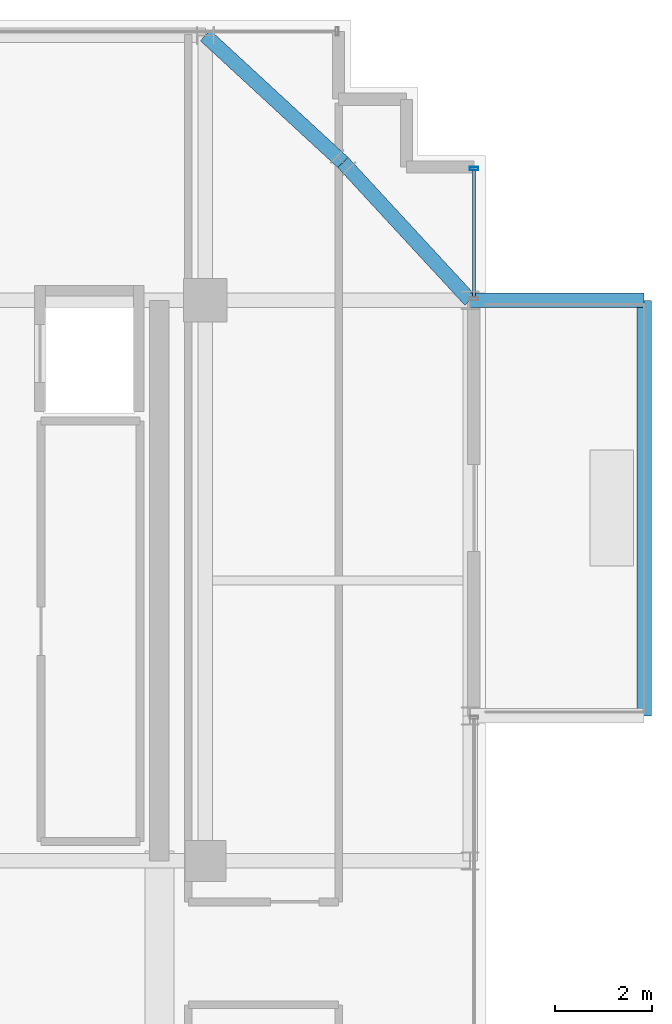
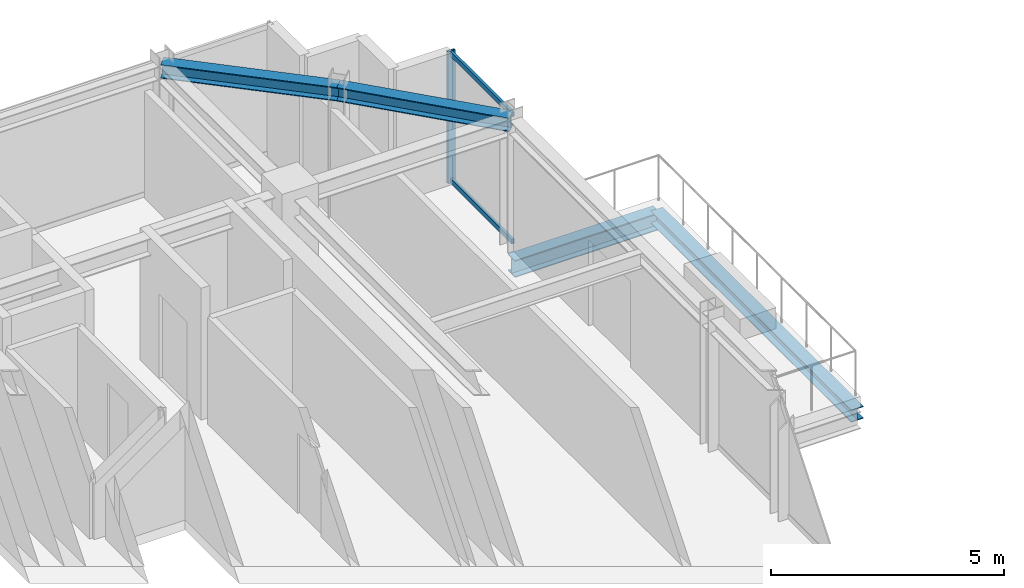
# One storey, part 24 of 32: 4 beams, 3 members, 1 element without a shape of its own.
"""IFC4 building model written with IfcOpenShell, lengths in metres."""

import ifcopenshell
import ifcopenshell.guid

model = None  # the IFC model being written
_history = None  # IfcOwnerHistory: only IFC2X3 demands one
_inside = {}  # id of a spatial element -> (the spatial element, [elements in it])
_under = {}  # id of a project, library or spatial element -> (it, [spatial elements below it])
_declared = {}  # id of a project -> (the project, [libraries it declares])
_typed = {}  # id of a type object -> (the type object, [elements of that type])
_made_of = {}  # id of a material, layer set ... -> (it, [elements and type objects made of it])


def new_model(schema):
    """Start an empty IFC model of exactly this schema.

    Asked for "IFC4X3", IfcOpenShell would pick the latest addendum, in which some entities
    have other attributes; the version numbers below select the first issue.
    IFC2X3 requires an IfcOwnerHistory on every rooted entity: one is made here for all.
    """
    global model, _history
    if schema == "IFC4X3":
        model = ifcopenshell.file(schema_version=(4, 3, 0, 0))
    else:
        model = ifcopenshell.file(schema=schema)
    _inside.clear()
    _under.clear()
    _declared.clear()
    _typed.clear()
    _made_of.clear()
    _history = None
    if model.schema == "IFC2X3":
        org = make("IfcOrganization", Name="unknown")
        user = make(
            "IfcPersonAndOrganization",
            ThePerson=make("IfcPerson", FamilyName="unknown"),
            TheOrganization=org,
        )
        app = make(
            "IfcApplication",
            ApplicationDeveloper=org,
            Version="unknown",
            ApplicationFullName="unknown",
            ApplicationIdentifier="unknown",
        )
        _history = make(
            "IfcOwnerHistory",
            OwningUser=user,
            OwningApplication=app,
            ChangeAction="ADDED",
            CreationDate=0,
        )
    return model


def make(cls, **values):
    """One entity of the class cls with the attributes given. An attribute that is None is left unset."""
    return model.create_entity(
        cls, **{name: value for name, value in values.items() if value is not None}
    )


def rooted(cls, **values):
    """An entity with a GlobalId (a new one), such as an element, a storey or a relation."""
    return make(cls, GlobalId=ifcopenshell.guid.new(), OwnerHistory=_history, **values)


def si_unit(unit_type, name, prefix=None):
    """IfcSIUnit, for example si_unit("LENGTHUNIT", "METRE", prefix="MILLI")."""
    return make("IfcSIUnit", UnitType=unit_type, Prefix=prefix, Name=name)


def assignment(units):
    """IfcUnitAssignment: the units of a project."""
    return None if units is None else make("IfcUnitAssignment", Units=units)


def point(xyz):
    """IfcCartesianPoint."""
    return None if xyz is None else make("IfcCartesianPoint", Coordinates=xyz)


def direction(xyz):
    """IfcDirection."""
    return None if xyz is None else make("IfcDirection", DirectionRatios=xyz)


def frame(location, z_axis=None, x_axis=None):
    """IfcAxis2Placement3D, a coordinate frame: its origin and axes. An axis left out is left unset."""
    return make(
        "IfcAxis2Placement3D",
        Location=point(location),
        Axis=direction(z_axis),
        RefDirection=direction(x_axis),
    )


def frame_2d(location, x_axis=None):
    """IfcAxis2Placement2D, a coordinate frame in the plane: its origin and x axis."""
    return make(
        "IfcAxis2Placement2D", Location=point(location), RefDirection=direction(x_axis)
    )


def origin():
    """The frame at (0, 0, 0) with its axes left unset."""
    return frame((0.0, 0.0, 0.0))


def origin_2d():
    """The frame at (0, 0) in the plane with its x axis left unset."""
    return frame_2d((0.0, 0.0))


def place(relative_to, where):
    """IfcLocalPlacement: puts the frame where relative to a parent placement (None: the world)."""
    return make(
        "IfcLocalPlacement", PlacementRelTo=relative_to, RelativePlacement=where
    )


def context(
    kind, dimensions, precision=None, world=None, true_north=None, identifier=None
):
    """IfcGeometricRepresentationContext, for example the 3D "Model" context."""
    return make(
        "IfcGeometricRepresentationContext",
        ContextIdentifier=identifier,
        ContextType=kind,
        CoordinateSpaceDimension=dimensions,
        Precision=precision,
        WorldCoordinateSystem=world,
        TrueNorth=true_north,
    )


def subcontext(parent, identifier, kind, view, scale=None):
    """IfcGeometricRepresentationSubContext, for example "Body" below "Model"."""
    return make(
        "IfcGeometricRepresentationSubContext",
        ContextIdentifier=identifier,
        ContextType=kind,
        ParentContext=parent,
        TargetScale=scale,
        TargetView=view,
    )


def project(units=None, contexts=None):
    """IfcProject with its units and contexts."""
    return rooted(
        "IfcProject",
        Name="project",
        RepresentationContexts=contexts,
        UnitsInContext=assignment(units),
    )


def spatial(cls, under=None, at=None, **own):
    """A site, building, storey or space (cls), placed at a placement, below another one or the project."""
    s = rooted(cls, ObjectPlacement=at, **own)
    if under is not None:
        _under.setdefault(under.id(), (under, []))[1].append(s)
    return s


def profile(cls, at=None, kind="AREA", **sizes):
    """A parametric profile (cls). Its sizes go by their IFC names, for example OverallWidth=200.0."""
    return make(cls, ProfileType=kind, Position=at, **sizes)


def hollow_rectangle(**sizes):
    """IfcRectangleHollowProfileDef."""
    return profile("IfcRectangleHollowProfileDef", **sizes)


def i_section(**sizes):
    """IfcIShapeProfileDef."""
    return profile("IfcIShapeProfileDef", **sizes)


def extrude(swept, where, along, depth):
    """IfcExtrudedAreaSolid: the profile swept, set in the frame where, extruded along a direction by depth."""
    return make(
        "IfcExtrudedAreaSolid",
        SweptArea=swept,
        Position=where,
        ExtrudedDirection=direction(along),
        Depth=depth,
    )


def shape(context_of_items, identifier, shape_type, items):
    """IfcShapeRepresentation: the items that make up one representation, for example the "Body"."""
    return make(
        "IfcShapeRepresentation",
        ContextOfItems=context_of_items,
        RepresentationIdentifier=identifier,
        RepresentationType=shape_type,
        Items=items,
    )


def source(mapping_origin, context_of_items, identifier, shape_type, items):
    """IfcRepresentationMap: a shape defined once, which mapped items show again and again."""
    return make(
        "IfcRepresentationMap",
        MappingOrigin=mapping_origin,
        MappedRepresentation=shape(context_of_items, identifier, shape_type, items),
    )


def transform(
    local_origin,
    x_axis=None,
    y_axis=None,
    z_axis=None,
    scale=None,
    scale2=None,
    scale3=None,
    uniform=True,
):
    """IfcCartesianTransformationOperator3D, or its non-uniform kind. x_axis, y_axis, z_axis: its Axis1, 2, 3."""
    if uniform:
        return make(
            "IfcCartesianTransformationOperator3D",
            Axis1=direction(x_axis),
            Axis2=direction(y_axis),
            LocalOrigin=point(local_origin),
            Scale=scale,
            Axis3=direction(z_axis),
        )
    return make(
        "IfcCartesianTransformationOperator3DnonUniform",
        Axis1=direction(x_axis),
        Axis2=direction(y_axis),
        LocalOrigin=point(local_origin),
        Scale=scale,
        Axis3=direction(z_axis),
        Scale2=scale2,
        Scale3=scale3,
    )


def mapped(mapping_source, mapping_target):
    """IfcMappedItem: shows the shape of a source again, moved by a transform."""
    return make(
        "IfcMappedItem", MappingSource=mapping_source, MappingTarget=mapping_target
    )


def material(Name=None, Category=None):
    """IfcMaterial."""
    return make("IfcMaterial", Name=Name, Category=Category)


def material_profile(
    of_material, cross_section, Name=None, Category=None, Priority=None
):
    """IfcMaterialProfile: a cross section and its material."""
    return make(
        "IfcMaterialProfile",
        Name=Name,
        Material=of_material,
        Profile=cross_section,
        Priority=Priority,
        Category=Category,
    )


def profile_set(profiles, Name=None, composite=None):
    """IfcMaterialProfileSet."""
    return make(
        "IfcMaterialProfileSet",
        Name=Name,
        MaterialProfiles=profiles,
        CompositeProfile=composite,
    )


def made_of(thing, what):
    """Note that an element or type object is made of a material, layer set ...; save() writes the relation."""
    if what is not None:
        _made_of.setdefault(what.id(), (what, []))[1].append(thing)
    return thing


def type_object(cls, material=None, **own):
    """A type object (cls), such as IfcWallType, which elements share."""
    return made_of(rooted(cls, **own), material)


def element(
    cls,
    number,
    at=None,
    inside=None,
    cuts=None,
    type_object=None,
    material=None,
    context=None,
    identifier="Body",
    shape_type=None,
    held_by="IfcProductDefinitionShape",
    body=None,
    shapes=None,
    **own,
):
    """One element of the class cls, such as IfcWall. Its Tag is "e" and its number.

    at: its placement. inside: the storey or other place that contains it. cuts: it is an
    opening in that element (IfcRelVoidsElement). A single representation is given by context,
    identifier, shape_type and body (its items); several are given by shapes. held_by: the class
    of the entity that holds the representations. save() writes the other relations.
    """
    e = rooted(cls, Tag="e%d" % number, ObjectPlacement=at, **own)
    if body is not None:
        shapes = [shape(context, identifier, shape_type, body)]
    if shapes is not None:
        e.Representation = make(held_by, Representations=shapes)
    if inside is not None:
        _inside.setdefault(inside.id(), (inside, []))[1].append(e)
    if cuts is not None:
        rooted(
            "IfcRelVoidsElement", RelatingBuildingElement=cuts, RelatedOpeningElement=e
        )
    if type_object is not None:
        _typed.setdefault(type_object.id(), (type_object, []))[1].append(e)
    return made_of(e, material)


def aggregate(whole, parts):
    """IfcRelAggregates: a whole, such as a stair, and the parts it consists of."""
    return rooted("IfcRelAggregates", RelatingObject=whole, RelatedObjects=parts)


def save(model, path):
    """Write the relations noted so far, then the file.

    IfcRelAggregates (storeys below a building ...), IfcRelContainedInSpatialStructure (elements
    in a storey), IfcRelDefinesByType, IfcRelAssociatesMaterial and IfcRelDeclares: one each for
    every whole, place, type object, material and project.
    """
    for whole, parts in _under.values():
        aggregate(whole, parts)
    for where, things in _inside.values():
        rooted(
            "IfcRelContainedInSpatialStructure",
            RelatedElements=things,
            RelatingStructure=where,
        )
    for kind, things in _typed.values():
        rooted("IfcRelDefinesByType", RelatedObjects=things, RelatingType=kind)
    for what, things in _made_of.values():
        rooted("IfcRelAssociatesMaterial", RelatedObjects=things, RelatingMaterial=what)
    for by, libraries in _declared.values():
        rooted("IfcRelDeclares", RelatingContext=by, RelatedDefinitions=libraries)
    model.write(path)


model = new_model("IFC4")

# Units and contexts
model_context = context("Model", 3, precision=1e-05, world=origin(), true_north=direction((0.0, 1.0)))
body_context = subcontext(model_context, "Body", "Model", "MODEL_VIEW")
ifc_project = project(units=[si_unit("LENGTHUNIT", "METRE"), si_unit("AREAUNIT", "SQUARE_METRE"), si_unit("VOLUMEUNIT", "CUBIC_METRE"), si_unit("PLANEANGLEUNIT", "RADIAN"), si_unit("MASSUNIT", "GRAM", prefix="KILO")], contexts=[model_context])

# Site, building, storey
site_placement = place(None, origin())
site = spatial("IfcSite", under=ifc_project, at=site_placement, CompositionType="ELEMENT")
building_placement = place(site_placement, origin())
building = spatial("IfcBuilding", under=site, at=building_placement, Name="Nahalor Promenade Grand Hotel", CompositionType="ELEMENT")
storey_placement = place(building_placement, frame((0.0, 0.0, 285.050048828125)))
storey = spatial("IfcBuildingStorey", under=building, at=storey_placement, Name="L73", CompositionType="ELEMENT", Elevation=285.050048828125)

# Beams
ifc_material_1 = material(Name="Steel S355JR", Category="steel")
ifc_material_profile_1 = material_profile(ifc_material_1, i_section(OverallWidth=0.3, OverallDepth=0.32, WebThickness=0.0115, FlangeThickness=0.0205, at=origin_2d()), Name="HEB 320")
ifc_profile_set_1 = profile_set([ifc_material_profile_1], Name="Steel S355JR")
beam_type_1 = type_object("IfcBeamType", Name="Beam-BalcEdge-HEB320", PredefinedType="SPANDREL", material=ifc_profile_set_1)
shared_shape_1 = source(origin(), body_context, "Body", "SweptSolid", [
    extrude(i_section(OverallWidth=0.3, OverallDepth=0.32, WebThickness=0.0115, FlangeThickness=0.0205, at=origin_2d()), origin(), (0.0, 0.0, 1.0), 8.60009765625),
])
beam_1_placement = place(storey_placement, frame((26.080078125, 8.39990234375, -0.43994140625), z_axis=(0.0, 1.0, 0.0), x_axis=(-1.0, 0.0, 0.0)))
element("IfcBeam", 1, at=beam_1_placement, inside=storey, type_object=beam_type_1, Name="BM-L73-BC-02-F", PredefinedType="SPANDREL", context=body_context, shape_type="MappedRepresentation", body=[
    mapped(shared_shape_1, transform((0.0, 0.0, 0.0), scale=1.0)),
])
ifc_material_profile_2 = material_profile(ifc_material_1, i_section(OverallWidth=0.3, OverallDepth=0.45, WebThickness=0.014, FlangeThickness=0.026, at=origin_2d()), Name="HEB 450")
ifc_profile_set_2 = profile_set([ifc_material_profile_2], Name="Steel S355JR")
beam_type_2 = type_object("IfcBeamType", Name="Beam-Outrigger-HEB450", PredefinedType="BEAM", material=ifc_profile_set_2)
shared_shape_2 = source(origin(), body_context, "Body", "SweptSolid", [
    extrude(i_section(OverallWidth=0.3, OverallDepth=0.45, WebThickness=0.014, FlangeThickness=0.026, at=origin_2d()), origin(), (0.0, 0.0, 1.0), 3.60009765625),
])
beam_2_placement = place(storey_placement, frame((22.47998046875, 17.0, -0.505126953125), z_axis=(1.0, 0.0, 0.0), x_axis=(0.0, 1.0, 0.0)))
element("IfcBeam", 2, at=beam_2_placement, inside=storey, type_object=beam_type_2, Name="BM-L73-BC-02-2", PredefinedType="BEAM", context=body_context, shape_type="MappedRepresentation", body=[
    mapped(shared_shape_2, transform((0.0, 0.0, 0.0), scale=1.0)),
])
ifc_material_profile_3 = material_profile(ifc_material_1, i_section(OverallWidth=0.3, OverallDepth=0.36, WebThickness=0.0125, FlangeThickness=0.0225, at=origin_2d()), Name="HEB 360")
ifc_profile_set_3 = profile_set([ifc_material_profile_3], Name="Steel S355JR")
beam_type_3 = type_object("IfcBeamType", Name="Beam-Spandrel-HEB360", PredefinedType="SPANDREL", material=ifc_profile_set_3)
shared_shape_3 = source(origin(), body_context, "Body", "SweptSolid", [
    extrude(i_section(OverallWidth=0.3, OverallDepth=0.36, WebThickness=0.0125, FlangeThickness=0.0225, at=origin_2d()), origin(), (0.0, 0.0, 1.0), 3.878173828125),
])
for number, where, z_axis, x_axis, name in (
    (3, (17.0, 22.47998046875, 3.27001953125), (0.73492893846, -0.678144125843, 0.0), (0.678144125843, 0.73492893846, 0.0), "BM-L73-SPC-NE-1"),
    (4, (19.85009765625, 19.85009765625, 3.27001953125), (0.678144125843, -0.73492893846, 0.0), (0.73492893846, 0.678144125843, 0.0), "BM-L73-SPC-NE-2"),
):
    element("IfcBeam", number, at=place(storey_placement, frame(where, z_axis=z_axis, x_axis=x_axis)), inside=storey, type_object=beam_type_3, Name=name, PredefinedType="SPANDREL", context=body_context, shape_type="MappedRepresentation", body=[
        mapped(shared_shape_3, transform((0.0, 0.0, 0.0), scale=1.0)),
    ])

# Curtain wall, members
ifc_material_2 = material(Name="Anodised Bronze Aluminium EN AW-6063 T6", Category="aluminium")
curtain_wall_type = type_object("IfcCurtainWallType", Name="CW2 Typical Hotel Flush Bronze Unitised Curtain Wall", PredefinedType="USERDEFINED", material=ifc_material_2)
curtain_wall_placement = place(storey_placement, origin())
curtain_wall = element("IfcCurtainWall", 5, at=curtain_wall_placement, inside=storey, type_object=curtain_wall_type, Name="L73 Curtain Wall CW-L73-E-3", ObjectType="UNITISED_CURTAIN_WALL", PredefinedType="USERDEFINED")
ifc_material_profile_4 = material_profile(ifc_material_2, hollow_rectangle(XDim=0.065, YDim=0.13, WallThickness=0.004, at=origin_2d()), Name="CWT 65x130x4")
ifc_profile_set_4 = profile_set([ifc_material_profile_4], Name="Anodised Bronze Aluminium EN AW-6063 T6")
member_type_1 = type_object("IfcMemberType", Name="CWT2 Typical Bronze Transom 65x130", PredefinedType="USERDEFINED", material=ifc_profile_set_4)
shared_shape_4 = source(origin(), body_context, "Body", "SweptSolid", [
    extrude(hollow_rectangle(XDim=0.065, YDim=0.13, WallThickness=0.004, at=origin_2d()), origin(), (0.0, 0.0, 1.0), 2.630126953125),
])
member_1_placement = place(storey_placement, frame((22.56005859375, 17.06494140625, 0.06494140625), z_axis=(0.0, 1.0, 0.0), x_axis=(-1.0, 0.0, 0.0)))
member_1 = element("IfcMember", 6, at=member_1_placement, type_object=member_type_1, Name="CW-L73-E-3 Transom 0-0", ObjectType="TRANSOM", PredefinedType="USERDEFINED", context=body_context, shape_type="MappedRepresentation", body=[
    mapped(shared_shape_4, transform((0.0, 0.0, 0.0), scale=1.0)),
])
member_2_placement = place(storey_placement, frame((22.56005859375, 17.06494140625, 3.385009765625), z_axis=(0.0, 1.0, 0.0), x_axis=(-1.0, 0.0, 0.0)))
member_2 = element("IfcMember", 7, at=member_2_placement, type_object=member_type_1, Name="CW-L73-E-3 Transom 0-1", ObjectType="TRANSOM", PredefinedType="USERDEFINED", context=body_context, shape_type="MappedRepresentation", body=[
    mapped(shared_shape_4, transform((0.0, 0.0, 0.0), scale=1.0)),
])
ifc_material_profile_5 = material_profile(ifc_material_2, hollow_rectangle(XDim=0.065, YDim=0.18, WallThickness=0.004, at=origin_2d()), Name="CWM 65x180x4")
ifc_profile_set_5 = profile_set([ifc_material_profile_5], Name="Anodised Bronze Aluminium EN AW-6063 T6")
member_type_2 = type_object("IfcMemberType", Name="CWM2 Typical Bronze Mullion 65x180", PredefinedType="MULLION", material=ifc_profile_set_5)
shared_shape_5 = source(origin(), body_context, "Body", "SweptSolid", [
    extrude(hollow_rectangle(XDim=0.065, YDim=0.18, WallThickness=0.004, at=origin_2d()), origin(), (0.0, 0.0, 1.0), 3.449951171875),
])
member_3_placement = place(storey_placement, frame((22.56005859375, 19.7275390625, 0.0), z_axis=(0.0, 0.0, 1.0), x_axis=(0.0, 1.0, 0.0)))
member_3 = element("IfcMember", 8, at=member_3_placement, type_object=member_type_2, Name="CW-L73-E-3 Mullion 1", PredefinedType="MULLION", context=body_context, shape_type="MappedRepresentation", body=[
    mapped(shared_shape_5, transform((0.0, 0.0, 0.0), scale=1.0)),
])
aggregate(curtain_wall, [member_3, member_1, member_2])

save(model, "model.ifc")
